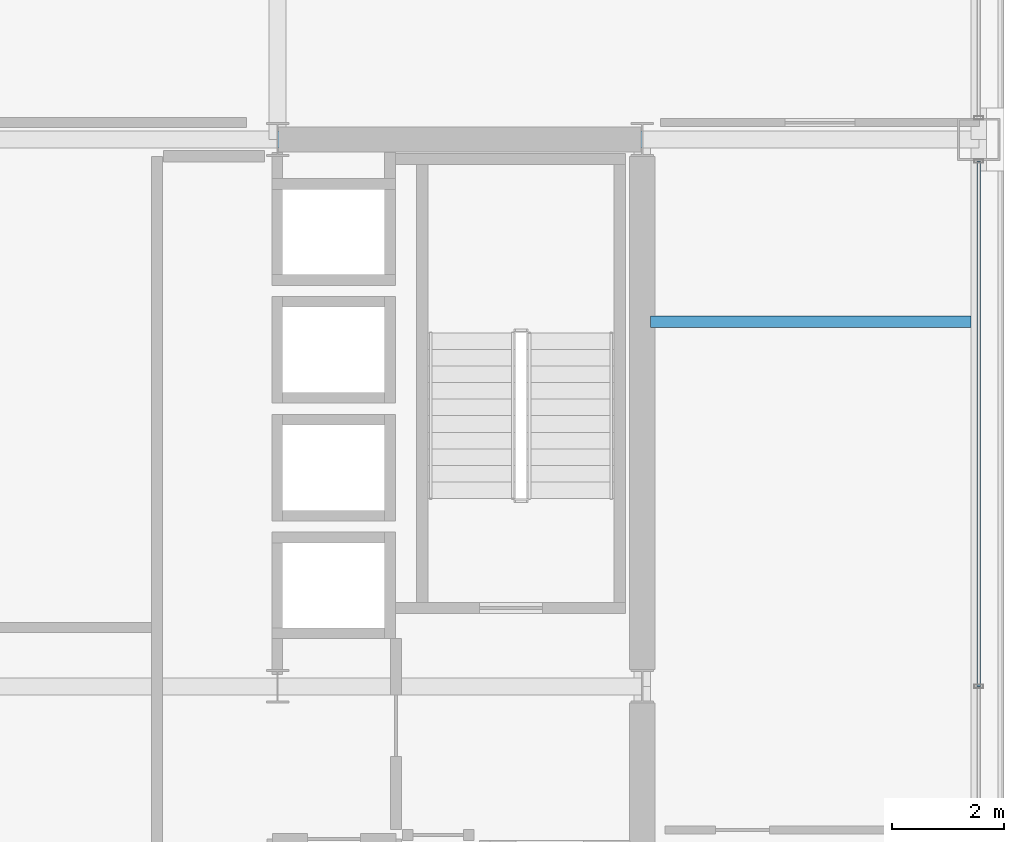
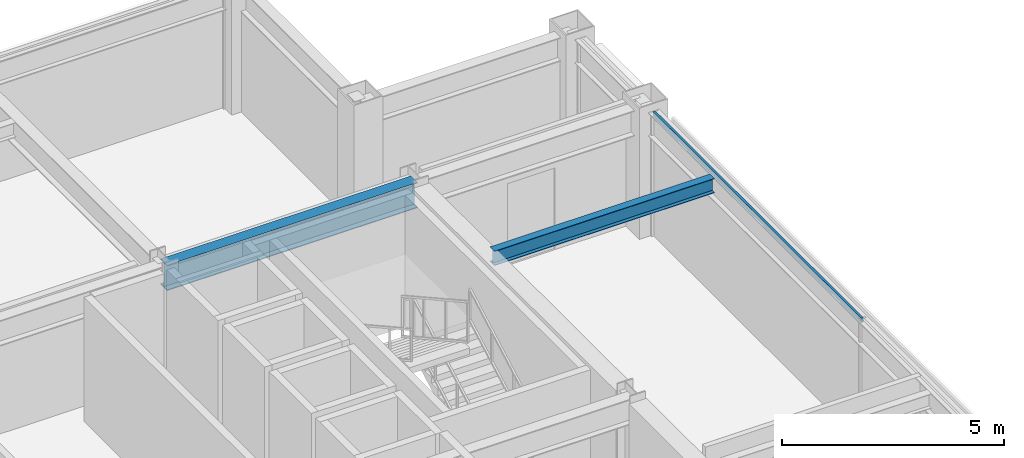
# One storey, part 16 of 28: 2 beams, 1 member, 1 element without a shape of its own.
"""IFC4 building model written with IfcOpenShell, lengths in metres."""

from ifc_helpers import new_model, si_unit, direction, frame, origin, origin_2d, place, context, subcontext, project, spatial, hollow_rectangle, i_section, extrude, material, layer, layer_set, material_profile, profile_set, type_object, element, aggregate, save


model = new_model("IFC4")

# Units and contexts
model_context = context("Model", 3, precision=1e-05, world=origin(), true_north=direction((0.0, 1.0)))
body_context = subcontext(model_context, "Body", "Model", "MODEL_VIEW")
ifc_project = project(units=[si_unit("LENGTHUNIT", "METRE"), si_unit("AREAUNIT", "SQUARE_METRE"), si_unit("VOLUMEUNIT", "CUBIC_METRE"), si_unit("PLANEANGLEUNIT", "RADIAN"), si_unit("MASSUNIT", "GRAM", prefix="KILO")], contexts=[model_context])

# Site, building, storey
site_placement = place(None, origin())
site = spatial("IfcSite", under=ifc_project, at=site_placement, CompositionType="ELEMENT")
building_placement = place(site_placement, origin())
building = spatial("IfcBuilding", under=site, at=building_placement, Name="Brelmoor Portico Tower", CompositionType="ELEMENT")
storey_placement = place(building_placement, frame((0.0, 0.0, 155.10009765625)))
storey = spatial("IfcBuildingStorey", under=building, at=storey_placement, Name="L40", CompositionType="ELEMENT", Elevation=155.10009765625)

# Beams
ifc_material_1 = material(Name="Steel Q355B", Category="steel")
ifc_material_profile_1 = material_profile(ifc_material_1, i_section(OverallWidth=0.199951171875, OverallDepth=0.39990234375, WebThickness=0.008056640625, FlangeThickness=0.012939453125, at=origin_2d()), Name="HN 400x200x8x13")
ifc_profile_set_1 = profile_set([ifc_material_profile_1], Name="Steel Q355B")
beam_type_1 = type_object("IfcBeamType", Name="BM-JS-400", PredefinedType="JOIST", material=ifc_profile_set_1)
beam_1_placement = place(storey_placement, frame((14.699951171875, 6.5, 3.199951171875), z_axis=(1.0, 0.0, 0.0), x_axis=(0.0, 1.0, 0.0)))
element("IfcBeam", 1, at=beam_1_placement, inside=storey, type_object=beam_type_1, Name="L40 Secondary Wing Joist JS-E08", PredefinedType="JOIST", context=body_context, shape_type="SweptSolid", body=[
    extrude(i_section(OverallWidth=0.199951171875, OverallDepth=0.39990234375, WebThickness=0.008056640625, FlangeThickness=0.012939453125, at=origin_2d()), origin(), (0.0, 0.0, 1.0), 5.7099609375),
])
ifc_material_profile_2 = material_profile(ifc_material_1, i_section(OverallWidth=0.300048828125, OverallDepth=0.699951171875, WebThickness=0.012939453125, FlangeThickness=0.02392578125, at=origin_2d()), Name="HN 700x300x13x24")
ifc_profile_set_2 = profile_set([ifc_material_profile_2], Name="Steel Q355B")
beam_type_2 = type_object("IfcBeamType", Name="BM-PG-700", PredefinedType="BEAM", material=ifc_profile_set_2)
beam_2_placement = place(storey_placement, frame((8.050048828125, 9.75, 3.0498046875), z_axis=(1.0, 0.0, 0.0), x_axis=(0.0, 1.0, 0.0)))
element("IfcBeam", 2, at=beam_2_placement, inside=storey, type_object=beam_type_2, Name="L40 Primary Floor Girder PG-21", PredefinedType="BEAM", context=body_context, shape_type="SweptSolid", body=[
    extrude(i_section(OverallWidth=0.300048828125, OverallDepth=0.699951171875, WebThickness=0.012939453125, FlangeThickness=0.02392578125, at=origin_2d()), origin(), (0.0, 0.0, 1.0), 6.5),
])

# Curtain wall, member
ifc_material_2 = material(Name="Anodised Aluminium Alloy 6063-T6", Category="aluminium")
ifc_layer = layer(ifc_material_2, 0.179931640625)
ifc_layer_set = layer_set([ifc_layer], Name="Anodised Aluminium Alloy 6063-T6")
curtain_wall_type = type_object("IfcCurtainWallType", Name="CW-TOWER-Z3-XB", PredefinedType="NOTDEFINED", material=ifc_layer_set)
curtain_wall_placement = place(storey_placement, origin())
curtain_wall = element("IfcCurtainWall", 3, at=curtain_wall_placement, inside=storey, type_object=curtain_wall_type, Name="L40 Curtain Wall CW-L40-04-2", PredefinedType="NOTDEFINED")
ifc_material_profile_3 = material_profile(ifc_material_2, hollow_rectangle(XDim=0.06005859375, YDim=0.125, WallThickness=0.00341796875, at=origin_2d()), Name="ALU TRANSOM 60x125")
ifc_profile_set_3 = profile_set([ifc_material_profile_3], Name="Anodised Aluminium Alloy 6063-T6")
member_type = type_object("IfcMemberType", Name="MB-CW-TRAN-125", PredefinedType="USERDEFINED", material=ifc_profile_set_3)
member_placement = place(storey_placement, frame((20.550048828125, 0.0, 3.33740234375), z_axis=(0.0, 1.0, 0.0), x_axis=(-1.0, 0.0, 0.0)))
member = element("IfcMember", 4, at=member_placement, type_object=member_type, Name="CW-L40-04-2 Transom 1-01", ObjectType="TRANSOM", PredefinedType="USERDEFINED", context=body_context, shape_type="SweptSolid", body=[
    extrude(hollow_rectangle(XDim=0.06005859375, YDim=0.125, WallThickness=0.00341796875, at=origin_2d()), origin(), (0.0, 0.0, 1.0), 9.364990234375),
])
aggregate(curtain_wall, [member])

save(model, "model.ifc")
